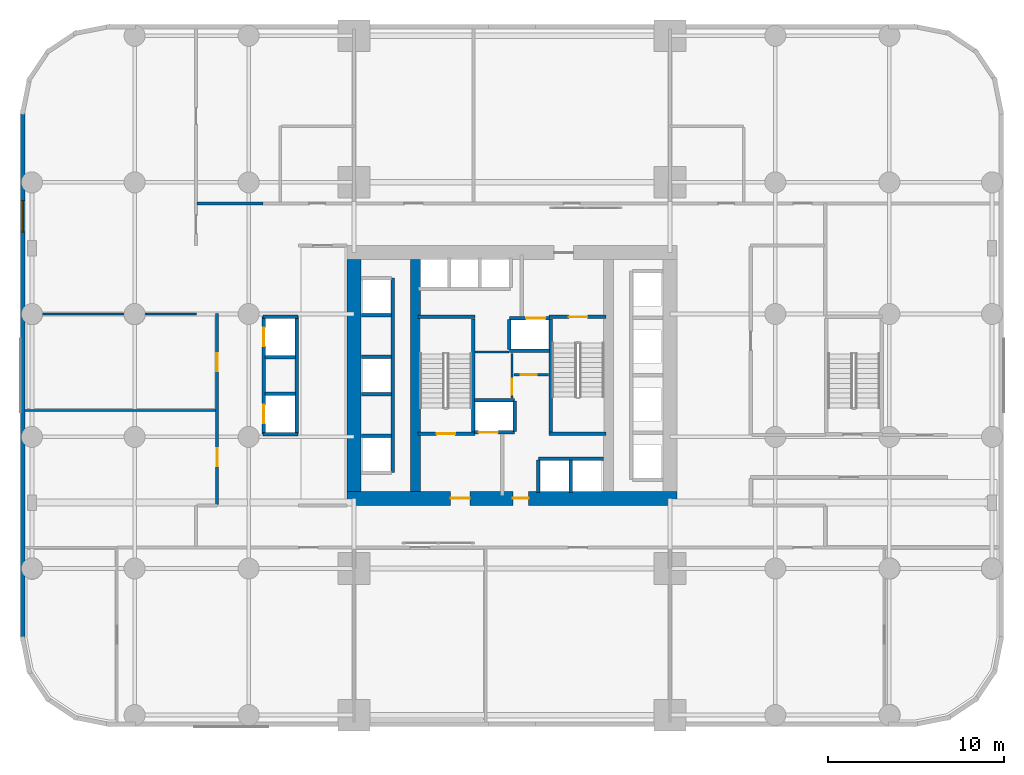
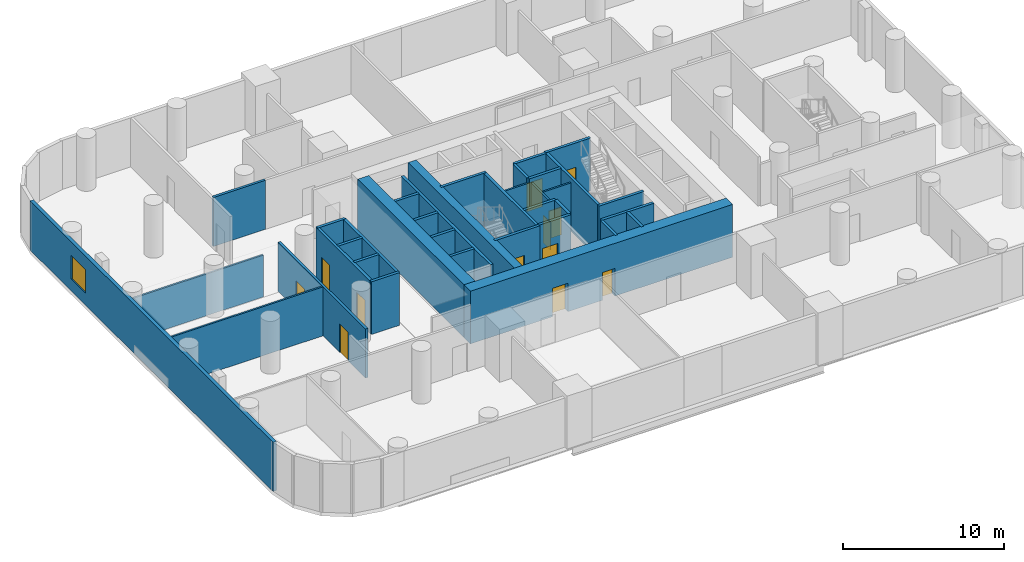
# One storey, part 7 of 12: 37 walls, 12 doors, 1 window, 13 openings.
"""IFC4 building model written with IfcOpenShell, lengths in metres."""

from ifc_helpers import new_model, si_unit, direction, frame, frame_2d, origin, place, context, subcontext, project, spatial, rectangle, extrude, material, layer, layer_set, type_object, element, fill, save


model = new_model("IFC4")

# Units and contexts
model_context = context("Model", 3, precision=1e-05, world=origin(), true_north=direction((0.0, 1.0)))
body_context = subcontext(model_context, "Body", "Model", "MODEL_VIEW")
ifc_project = project(units=[si_unit("LENGTHUNIT", "METRE"), si_unit("AREAUNIT", "SQUARE_METRE"), si_unit("VOLUMEUNIT", "CUBIC_METRE"), si_unit("PLANEANGLEUNIT", "RADIAN"), si_unit("MASSUNIT", "GRAM", prefix="KILO")], contexts=[model_context])

# Site, building, storey
site_placement = place(None, origin())
site = spatial("IfcSite", under=ifc_project, at=site_placement, CompositionType="ELEMENT")
building_placement = place(site_placement, origin())
building = spatial("IfcBuilding", under=site, at=building_placement, Name="Veldorim Arch Residences", CompositionType="ELEMENT")
storey_placement = place(building_placement, frame((0.0, 0.0, 12.0)))
storey = spatial("IfcBuildingStorey", under=building, at=storey_placement, Name="L03", CompositionType="ELEMENT", Elevation=12.0)

# Wall, opening, door
ifc_material_1 = material(Name="Acoustic Gypsum Board", Category="gypsum")
ifc_layer_1 = layer(ifc_material_1, 0.125, Name="Acoustic Stud Room Partition Wall 125")
ifc_layer_set_1 = layer_set([ifc_layer_1], Name="Acoustic Gypsum Board")
wall_type_1 = type_object("IfcWallType", Name="Acoustic Stud Room Partition Wall 125", PredefinedType="PARTITIONING", material=ifc_layer_set_1)
wall_1_placement = place(storey_placement, frame((32.0, 22.719970703125, 0.0), z_axis=(0.0, 0.0, 1.0), x_axis=(0.0, 1.0, 0.0)))
wall_1 = element("IfcWall", 1, at=wall_1_placement, inside=storey, type_object=wall_type_1, Name="L03 interior wall WL-CA-L03-1", PredefinedType="PARTITIONING", context=body_context, shape_type="SweptSolid", body=[
    extrude(rectangle(XDim=2.52001953125, YDim=0.125, at=frame_2d((1.260009765625, 0.0))), origin(), (0.0, 0.0, 1.0), 3.715087890625),
])
opening_1_placement = place(wall_1_placement, frame((0.179931640625, 0.0, 0.0)))
opening_1 = element("IfcOpeningElement", 2, at=opening_1_placement, cuts=wall_1, Name="Opening DR-SVC", PredefinedType="OPENING", context=body_context, shape_type="SweptSolid", body=[
    extrude(rectangle(XDim=0.89990234375, YDim=2.10009765625, at=frame_2d((0.449951171875, 1.050048828125))), frame((0.0, 0.072509765625, 0.0), z_axis=(0.0, -1.0, 0.0), x_axis=(1.0, 0.0, 0.0)), (0.0, 0.0, 1.0), 0.14501953125),
])
ifc_material_2 = material(Name="Fire-Rated Steel", Category="steel")
door_type_1 = type_object("IfcDoorType", Name="Riser, Shelter & Plant Room Rated Steel Door 900x2100", OperationType="SINGLE_SWING_LEFT", PredefinedType="DOOR", material=ifc_material_2)
door_1_placement = place(opening_1_placement, origin())
door_1 = element("IfcDoor", 3, at=door_1_placement, inside=storey, type_object=door_type_1, Name="L03 interior door DR-L03-CA2", OperationType="SINGLE_SWING_RIGHT", OverallHeight=2.10009765625, OverallWidth=0.89990234375, PredefinedType="DOOR", context=body_context, shape_type="SweptSolid", body=[
    extrude(rectangle(XDim=0.89990234375, YDim=2.10009765625, at=frame_2d((0.449951171875, 1.050048828125))), frame((0.0, 0.02490234375, 0.0), z_axis=(0.0, -1.0, 0.0), x_axis=(1.0, 0.0, 0.0)), (0.0, 0.0, 1.0), 0.050048828125),
])
fill(opening_1, door_1)

wall_2_placement = place(storey_placement, frame((32.110107421875, 24.0400390625, 0.0), z_axis=(0.0, 0.0, 1.0), x_axis=(1.0, 0.0, 0.0)))
wall_2 = element("IfcWall", 4, at=wall_2_placement, inside=storey, type_object=wall_type_1, Name="L03 interior wall WL-CA-L03-3", PredefinedType="PARTITIONING", context=body_context, shape_type="SweptSolid", body=[
    extrude(rectangle(XDim=1.969970703125, YDim=0.125, at=frame_2d((0.98486328125, 0.0))), origin(), (0.0, 0.0, 1.0), 3.715087890625),
])
opening_2_placement = place(wall_2_placement, frame((0.389892578125, 0.0, 0.0)))
opening_2 = element("IfcOpeningElement", 5, at=opening_2_placement, cuts=wall_2, Name="Opening DR-INT", PredefinedType="OPENING", context=body_context, shape_type="SweptSolid", body=[
    extrude(rectangle(XDim=0.89990234375, YDim=2.10009765625, at=frame_2d((0.449951171875, 1.050048828125))), frame((0.0, 0.072509765625, 0.0), z_axis=(0.0, -1.0, 0.0), x_axis=(1.0, 0.0, 0.0)), (0.0, 0.0, 1.0), 0.14501953125),
])
ifc_material_3 = material(Name="Engineered Timber", Category="wood")
door_type_2 = type_object("IfcDoorType", Name="Apartment Internal Room Timber Door 900x2100", OperationType="SINGLE_SWING_LEFT", PredefinedType="DOOR", material=ifc_material_3)
door_2_placement = place(opening_2_placement, origin())
door_2 = element("IfcDoor", 6, at=door_2_placement, inside=storey, type_object=door_type_2, Name="L03 interior door DR-L03-CA1", OperationType="SINGLE_SWING_LEFT", OverallHeight=2.10009765625, OverallWidth=0.89990234375, PredefinedType="DOOR", context=body_context, shape_type="SweptSolid", body=[
    extrude(rectangle(XDim=0.89990234375, YDim=2.10009765625, at=frame_2d((0.449951171875, 1.050048828125))), frame((0.0, 0.02490234375, 0.0), z_axis=(0.0, -1.0, 0.0), x_axis=(1.0, 0.0, 0.0)), (0.0, 0.0, 1.0), 0.050048828125),
])
fill(opening_2, door_2)

# Walls
wall_3_placement = place(storey_placement, frame((29.889892578125, 25.330078125, 0.0), z_axis=(0.0, 0.0, 1.0), x_axis=(1.0, 0.0, 0.0)))
element("IfcWall", 7, at=wall_3_placement, inside=storey, type_object=wall_type_1, Name="L03 interior wall WL-CA-L03-N", PredefinedType="PARTITIONING", context=body_context, shape_type="SweptSolid", body=[
    extrude(rectangle(XDim=1.940185546875, YDim=0.125, at=frame_2d((0.97021484375, 0.0))), origin(), (0.0, 0.0, 1.0), 3.715087890625),
])
wall_4_placement = place(storey_placement, frame((4.25, 22.0, 0.0), z_axis=(0.0, 0.0, 1.0), x_axis=(1.0, 0.0, 0.0)))
element("IfcWall", 8, at=wall_4_placement, inside=storey, type_object=wall_type_1, Name="L03 interior wall WL-POD-L03-024", PredefinedType="PARTITIONING", context=body_context, shape_type="SweptSolid", body=[
    extrude(rectangle(XDim=10.85009765625, YDim=0.125, at=frame_2d((5.425048828125, 0.0))), origin(), (0.0, 0.0, 1.0), 3.715087890625),
])
wall_5_placement = place(storey_placement, frame((4.25, 27.5, 0.0), z_axis=(0.0, 0.0, 1.0), x_axis=(1.0, 0.0, 0.0)))
element("IfcWall", 9, at=wall_5_placement, inside=storey, type_object=wall_type_1, Name="L03 interior wall WL-POD-L03-025", PredefinedType="PARTITIONING", context=body_context, shape_type="SweptSolid", body=[
    extrude(rectangle(XDim=9.77001953125, YDim=0.125, at=frame_2d((4.885009765625, 0.0))), origin(), (0.0, 0.0, 1.0), 3.16357421875),
])

# Wall, openings, doors
ifc_material_4 = material(Name="Lightweight Masonry Block & Gypsum", Category="masonry")
ifc_layer_2 = layer(ifc_material_4, 0.179931640625, Name="Compartment & Corridor Fire-Rated Party Wall 180")
ifc_layer_set_2 = layer_set([ifc_layer_2], Name="Lightweight Masonry Block & Gypsum")
wall_type_2 = type_object("IfcWallType", Name="Compartment & Corridor Fire-Rated Party Wall 180", PredefinedType="PARTITIONING", material=ifc_layer_set_2)
wall_6_placement = place(storey_placement, frame((15.199951171875, 16.659912109375, 0.0), z_axis=(0.0, 0.0, 1.0), x_axis=(0.0, 1.0, 0.0)))
wall_6 = element("IfcWall", 10, at=wall_6_placement, inside=storey, type_object=wall_type_2, Name="L03 interior wall WL-POD-L03-004", PredefinedType="PARTITIONING", context=body_context, shape_type="SweptSolid", body=[
    extrude(rectangle(XDim=10.860107421875, YDim=0.179931640625, at=frame_2d((5.43017578125, 0.0))), origin(), (0.0, 0.0, 1.0), 3.715087890625),
])
opening_3_placement = place(wall_6_placement, frame((2.155029296875, 0.0, 0.0)))
opening_3 = element("IfcOpeningElement", 11, at=opening_3_placement, cuts=wall_6, Name="Opening DR-CLN", PredefinedType="OPENING", context=body_context, shape_type="SweptSolid", body=[
    extrude(rectangle(XDim=1.050048828125, YDim=2.14990234375, at=frame_2d((0.52490234375, 1.074951171875))), frame((0.0, 0.099853515625, 0.0), z_axis=(0.0, -1.0, 0.0), x_axis=(1.0, 0.0, 0.0)), (0.0, 0.0, 1.0), 0.199951171875),
])
opening_4_placement = place(wall_6_placement, frame((7.56494140625, 0.0, 0.0)))
opening_4 = element("IfcOpeningElement", 12, at=opening_4_placement, cuts=wall_6, Name="Opening DR-CLN", PredefinedType="OPENING", context=body_context, shape_type="SweptSolid", body=[
    extrude(rectangle(XDim=1.050048828125, YDim=2.14990234375, at=frame_2d((0.52490234375, 1.074951171875))), frame((0.0, 0.099853515625, 0.0), z_axis=(0.0, -1.0, 0.0), x_axis=(1.0, 0.0, 0.0)), (0.0, 0.0, 1.0), 0.199951171875),
])
ifc_material_5 = material(Name="Timber & Vision Panel", Category="wood")
door_type_3 = type_object("IfcDoorType", Name="Polyclinic Wheelchair-Accessible Consultation Door 1050x2150", OperationType="SINGLE_SWING_LEFT", PredefinedType="DOOR", material=ifc_material_5)
door_3_placement = place(opening_3_placement, origin())
door_3 = element("IfcDoor", 13, at=door_3_placement, inside=storey, type_object=door_type_3, Name="L03 interior door DR-POD-L03-003", OperationType="SINGLE_SWING_LEFT", OverallHeight=2.14990234375, OverallWidth=1.050048828125, PredefinedType="DOOR", context=body_context, shape_type="SweptSolid", body=[
    extrude(rectangle(XDim=1.050048828125, YDim=2.14990234375, at=frame_2d((0.52490234375, 1.074951171875))), frame((0.0, 0.02490234375, 0.0), z_axis=(0.0, -1.0, 0.0), x_axis=(1.0, 0.0, 0.0)), (0.0, 0.0, 1.0), 0.050048828125),
])
fill(opening_3, door_3)
door_4_placement = place(opening_4_placement, origin())
door_4 = element("IfcDoor", 14, at=door_4_placement, inside=storey, type_object=door_type_3, Name="L03 interior door DR-POD-L03-004", OperationType="SINGLE_SWING_RIGHT", OverallHeight=2.14990234375, OverallWidth=1.050048828125, PredefinedType="DOOR", context=body_context, shape_type="SweptSolid", body=[
    extrude(rectangle(XDim=1.050048828125, YDim=2.14990234375, at=frame_2d((0.52490234375, 1.074951171875))), frame((0.0, 0.02490234375, 0.0), z_axis=(0.0, -1.0, 0.0), x_axis=(1.0, 0.0, 0.0)), (0.0, 0.0, 1.0), 0.050048828125),
])
fill(opening_4, door_4)

# Walls
wall_7_placement = place(storey_placement, frame((14.06005859375, 33.800048828125, 0.0), z_axis=(0.0, 0.0, 1.0), x_axis=(1.0, 0.0, 0.0)))
element("IfcWall", 15, at=wall_7_placement, inside=storey, type_object=wall_type_2, Name="L03 interior wall WL-POD-L03-007", PredefinedType="PARTITIONING", context=body_context, shape_type="SweptSolid", body=[
    extrude(rectangle(XDim=3.739990234375, YDim=0.179931640625, at=frame_2d((1.8701171875, 0.0))), origin(), (0.0, 0.0, 1.0), 3.715087890625),
])
ifc_material_6 = material(Name="Concrete C50/60", Category="concrete")
ifc_layer_3 = layer(ifc_material_6, 0.199951171875, Name="Core Stair & Lift Shaft Enclosure Wall 200")
ifc_layer_set_3 = layer_set([ifc_layer_3], Name="Concrete C50/60")
wall_type_3 = type_object("IfcWallType", Name="Core Stair & Lift Shaft Enclosure Wall 200", PredefinedType="SHEAR", material=ifc_layer_set_3)
wall_8_placement = place(storey_placement, frame((29.7900390625, 20.780029296875, 0.0), z_axis=(0.0, 0.0, 1.0), x_axis=(0.0, 1.0, 0.0)))
element("IfcWall", 16, at=wall_8_placement, inside=storey, type_object=wall_type_3, Name="L03 shaft wall WL-SHF-L03-ST1-E", PredefinedType="SHEAR", context=body_context, shape_type="SweptSolid", body=[
    extrude(rectangle(XDim=6.43994140625, YDim=0.199951171875, at=frame_2d((3.219970703125, 0.0))), origin(), (0.0, 0.0, 1.0), 4.0),
])
wall_9_placement = place(storey_placement, frame((26.64990234375, 27.330078125, 0.0), z_axis=(0.0, 0.0, 1.0), x_axis=(1.0, 0.0, 0.0)))
element("IfcWall", 17, at=wall_9_placement, inside=storey, type_object=wall_type_3, Name="L03 shaft wall WL-SHF-L03-ST1-N", PredefinedType="SHEAR", context=body_context, shape_type="SweptSolid", body=[
    extrude(rectangle(XDim=3.239990234375, YDim=0.199951171875, at=frame_2d((1.6201171875, 0.0))), origin(), (0.0, 0.0, 1.0), 4.0),
])

# Wall, opening, door
wall_10_placement = place(storey_placement, frame((26.64990234375, 20.669921875, 0.0), z_axis=(0.0, 0.0, 1.0), x_axis=(1.0, 0.0, 0.0)))
wall_10 = element("IfcWall", 18, at=wall_10_placement, inside=storey, type_object=wall_type_3, Name="L03 shaft wall WL-SHF-L03-ST1-S", PredefinedType="SHEAR", context=body_context, shape_type="SweptSolid", body=[
    extrude(rectangle(XDim=3.239990234375, YDim=0.199951171875, at=frame_2d((1.6201171875, 0.0))), origin(), (0.0, 0.0, 1.0), 4.0),
])
opening_5_placement = place(wall_10_placement, frame((1.054931640625, 0.0, 0.0)))
opening_5 = element("IfcOpeningElement", 19, at=opening_5_placement, cuts=wall_10, Name="Opening DR-ST", PredefinedType="OPENING", context=body_context, shape_type="SweptSolid", body=[
    extrude(rectangle(XDim=1.050048828125, YDim=2.14990234375, at=frame_2d((0.52490234375, 1.074951171875))), frame((0.0, 0.10986328125, 0.0), z_axis=(0.0, -1.0, 0.0), x_axis=(1.0, 0.0, 0.0)), (0.0, 0.0, 1.0), 0.219970703125),
])
ifc_material_7 = material(Name="Fire-Rated Steel", Category="steel")
door_type_4 = type_object("IfcDoorType", Name="Exit Staircase Self-Closing Fire Door 1050x2150", OperationType="SINGLE_SWING_LEFT", PredefinedType="DOOR", material=ifc_material_7)
door_5_placement = place(opening_5_placement, origin())
door_5 = element("IfcDoor", 20, at=door_5_placement, inside=storey, type_object=door_type_4, Name="L03 interior door DR-L03-ST1", OperationType="SINGLE_SWING_LEFT", OverallHeight=2.14990234375, OverallWidth=1.050048828125, PredefinedType="DOOR", context=body_context, shape_type="SweptSolid", body=[
    extrude(rectangle(XDim=1.050048828125, YDim=2.14990234375, at=frame_2d((0.52490234375, 1.074951171875))), frame((0.0, 0.02490234375, 0.0), z_axis=(0.0, -1.0, 0.0), x_axis=(1.0, 0.0, 0.0)), (0.0, 0.0, 1.0), 0.050048828125),
])
fill(opening_5, door_5)

# Walls
wall_11_placement = place(storey_placement, frame((34.2099609375, 20.780029296875, 0.0), z_axis=(0.0, 0.0, 1.0), x_axis=(0.0, 1.0, 0.0)))
element("IfcWall", 21, at=wall_11_placement, inside=storey, type_object=wall_type_3, Name="L03 shaft wall WL-SHF-L03-ST2-W", PredefinedType="SHEAR", context=body_context, shape_type="SweptSolid", body=[
    extrude(rectangle(XDim=6.43994140625, YDim=0.199951171875, at=frame_2d((3.219970703125, 0.0))), origin(), (0.0, 0.0, 1.0), 4.0),
])
wall_12_placement = place(storey_placement, frame((34.110107421875, 20.669921875, 0.0), z_axis=(0.0, 0.0, 1.0), x_axis=(1.0, 0.0, 0.0)))
element("IfcWall", 22, at=wall_12_placement, inside=storey, type_object=wall_type_3, Name="L03 shaft wall WL-SHF-L03-ST2-S", PredefinedType="SHEAR", context=body_context, shape_type="SweptSolid", body=[
    extrude(rectangle(XDim=3.239990234375, YDim=0.199951171875, at=frame_2d((1.6201171875, 0.0))), origin(), (0.0, 0.0, 1.0), 4.0),
])

# Wall, opening, door
wall_13_placement = place(storey_placement, frame((34.110107421875, 27.330078125, 0.0), z_axis=(0.0, 0.0, 1.0), x_axis=(1.0, 0.0, 0.0)))
wall_13 = element("IfcWall", 23, at=wall_13_placement, inside=storey, type_object=wall_type_3, Name="L03 shaft wall WL-SHF-L03-ST2-N", PredefinedType="SHEAR", context=body_context, shape_type="SweptSolid", body=[
    extrude(rectangle(XDim=3.239990234375, YDim=0.199951171875, at=frame_2d((1.6201171875, 0.0))), origin(), (0.0, 0.0, 1.0), 4.0),
])
opening_6_placement = place(wall_13_placement, frame((1.135009765625, 0.0, 0.0)))
opening_6 = element("IfcOpeningElement", 24, at=opening_6_placement, cuts=wall_13, Name="Opening DR-ST", PredefinedType="OPENING", context=body_context, shape_type="SweptSolid", body=[
    extrude(rectangle(XDim=1.050048828125, YDim=2.14990234375, at=frame_2d((0.52490234375, 1.074951171875))), frame((0.0, 0.10986328125, 0.0), z_axis=(0.0, -1.0, 0.0), x_axis=(1.0, 0.0, 0.0)), (0.0, 0.0, 1.0), 0.219970703125),
])
door_6_placement = place(opening_6_placement, origin())
door_6 = element("IfcDoor", 25, at=door_6_placement, inside=storey, type_object=door_type_4, Name="L03 interior door DR-L03-ST2", OperationType="SINGLE_SWING_RIGHT", OverallHeight=2.14990234375, OverallWidth=1.050048828125, PredefinedType="DOOR", context=body_context, shape_type="SweptSolid", body=[
    extrude(rectangle(XDim=1.050048828125, YDim=2.14990234375, at=frame_2d((0.52490234375, 1.074951171875))), frame((0.0, 0.02490234375, 0.0), z_axis=(0.0, -1.0, 0.0), x_axis=(1.0, 0.0, 0.0)), (0.0, 0.0, 1.0), 0.050048828125),
])
fill(opening_6, door_6)

wall_14_placement = place(storey_placement, frame((29.85009765625, 20.75, 0.0), z_axis=(0.0, 0.0, 1.0), x_axis=(1.0, 0.0, 0.0)))
wall_14 = element("IfcWall", 26, at=wall_14_placement, inside=storey, type_object=wall_type_3, Name="L03 shaft wall WL-FL01-L03-S", PredefinedType="SHEAR", context=body_context, shape_type="SweptSolid", body=[
    extrude(rectangle(XDim=2.2998046875, YDim=0.199951171875, at=frame_2d((1.14990234375, 0.0))), origin(), (0.0, 0.0, 1.0), 4.0),
])
opening_7_placement = place(wall_14_placement, frame((0.25, 0.0, 0.0)))
opening_7 = element("IfcOpeningElement", 27, at=opening_7_placement, cuts=wall_14, Name="Opening LD-FF", PredefinedType="OPENING", context=body_context, shape_type="SweptSolid", body=[
    extrude(rectangle(XDim=1.10009765625, YDim=2.14990234375, at=frame_2d((0.550048828125, 1.074951171875))), frame((0.0, 0.10986328125, 0.0), z_axis=(0.0, -1.0, 0.0), x_axis=(1.0, 0.0, 0.0)), (0.0, 0.0, 1.0), 0.219970703125),
])
ifc_material_8 = material(Name="Stainless Steel", Category="steel")
door_type_5 = type_object("IfcDoorType", Name="Firefighting Lift Bi-Parting Sliding Landing Door 1100x2150", OperationType="DOUBLE_DOOR_SLIDING", PredefinedType="DOOR", material=ifc_material_8)
door_7_placement = place(opening_7_placement, origin())
door_7 = element("IfcDoor", 28, at=door_7_placement, inside=storey, type_object=door_type_5, Name="L03 lift landing door LD-L03-FL01", OperationType="DOUBLE_DOOR_SLIDING", OverallHeight=2.14990234375, OverallWidth=1.10009765625, PredefinedType="DOOR", context=body_context, shape_type="SweptSolid", body=[
    extrude(rectangle(XDim=1.10009765625, YDim=2.14990234375, at=frame_2d((0.550048828125, 1.074951171875))), frame((0.0, 0.02490234375, 0.0), z_axis=(0.0, -1.0, 0.0), x_axis=(1.0, 0.0, 0.0)), (0.0, 0.0, 1.0), 0.050048828125),
])
fill(opening_7, door_7)

# Walls
wall_15_placement = place(storey_placement, frame((29.85009765625, 22.60009765625, 0.0), z_axis=(0.0, 0.0, 1.0), x_axis=(1.0, 0.0, 0.0)))
element("IfcWall", 29, at=wall_15_placement, inside=storey, type_object=wall_type_3, Name="L03 shaft wall WL-FL01-L03-N", PredefinedType="SHEAR", context=body_context, shape_type="SweptSolid", body=[
    extrude(rectangle(XDim=2.2998046875, YDim=0.199951171875, at=frame_2d((1.14990234375, 0.0))), origin(), (0.0, 0.0, 1.0), 4.0),
])
wall_16_placement = place(storey_placement, frame((32.14990234375, 20.820068359375, 0.0), z_axis=(0.0, 0.0, 1.0), x_axis=(0.0, 1.0, 0.0)))
element("IfcWall", 30, at=wall_16_placement, inside=storey, type_object=wall_type_3, Name="L03 shaft wall WL-FL01-L03-E", PredefinedType="SHEAR", context=body_context, shape_type="SweptSolid", body=[
    extrude(rectangle(XDim=1.7099609375, YDim=0.199951171875, at=frame_2d((0.85498046875, 0.0))), origin(), (0.0, 0.0, 1.0), 4.0),
])

# Wall, opening, door
wall_17_placement = place(storey_placement, frame((31.85009765625, 27.25, 0.0), z_axis=(0.0, 0.0, 1.0), x_axis=(1.0, 0.0, 0.0)))
wall_17 = element("IfcWall", 31, at=wall_17_placement, inside=storey, type_object=wall_type_3, Name="L03 shaft wall WL-FL02-L03-N", PredefinedType="SHEAR", context=body_context, shape_type="SweptSolid", body=[
    extrude(rectangle(XDim=2.2998046875, YDim=0.199951171875, at=frame_2d((1.14990234375, 0.0))), origin(), (0.0, 0.0, 1.0), 4.0),
])
opening_8_placement = place(wall_17_placement, frame((0.949951171875, 0.0, 0.0)))
opening_8 = element("IfcOpeningElement", 32, at=opening_8_placement, cuts=wall_17, Name="Opening LD-FF", PredefinedType="OPENING", context=body_context, shape_type="SweptSolid", body=[
    extrude(rectangle(XDim=1.10009765625, YDim=2.14990234375, at=frame_2d((0.550048828125, 1.074951171875))), frame((0.0, 0.10986328125, 0.0), z_axis=(0.0, -1.0, 0.0), x_axis=(1.0, 0.0, 0.0)), (0.0, 0.0, 1.0), 0.219970703125),
])
door_8_placement = place(opening_8_placement, origin())
door_8 = element("IfcDoor", 33, at=door_8_placement, inside=storey, type_object=door_type_5, Name="L03 lift landing door LD-L03-FL02", OperationType="DOUBLE_DOOR_SLIDING", OverallHeight=2.14990234375, OverallWidth=1.10009765625, PredefinedType="DOOR", context=body_context, shape_type="SweptSolid", body=[
    extrude(rectangle(XDim=1.10009765625, YDim=2.14990234375, at=frame_2d((0.550048828125, 1.074951171875))), frame((0.0, 0.02490234375, 0.0), z_axis=(0.0, -1.0, 0.0), x_axis=(1.0, 0.0, 0.0)), (0.0, 0.0, 1.0), 0.050048828125),
])
fill(opening_8, door_8)

# Walls
wall_18_placement = place(storey_placement, frame((31.85009765625, 25.39990234375, 0.0), z_axis=(0.0, 0.0, 1.0), x_axis=(1.0, 0.0, 0.0)))
element("IfcWall", 34, at=wall_18_placement, inside=storey, type_object=wall_type_3, Name="L03 shaft wall WL-FL02-L03-S", PredefinedType="SHEAR", context=body_context, shape_type="SweptSolid", body=[
    extrude(rectangle(XDim=2.2998046875, YDim=0.199951171875, at=frame_2d((1.14990234375, 0.0))), origin(), (0.0, 0.0, 1.0), 4.0),
])
wall_19_placement = place(storey_placement, frame((31.85009765625, 25.469970703125, 0.0), z_axis=(0.0, 0.0, 1.0), x_axis=(0.0, 1.0, 0.0)))
element("IfcWall", 35, at=wall_19_placement, inside=storey, type_object=wall_type_3, Name="L03 shaft wall WL-FL02-L03-W", PredefinedType="SHEAR", context=body_context, shape_type="SweptSolid", body=[
    extrude(rectangle(XDim=1.7099609375, YDim=0.199951171875, at=frame_2d((0.85498046875, 0.0))), origin(), (0.0, 0.0, 1.0), 4.0),
])
wall_20_placement = place(storey_placement, frame((25.199951171875, 18.4599609375, 0.0), z_axis=(0.0, 0.0, 1.0), x_axis=(0.0, 1.0, 0.0)))
element("IfcWall", 36, at=wall_20_placement, inside=storey, type_object=wall_type_3, Name="L03 shaft wall WL-B2-L03-E", PredefinedType="SHEAR", context=body_context, shape_type="SweptSolid", body=[
    extrude(rectangle(XDim=11.080078125, YDim=0.199951171875, at=frame_2d((5.5400390625, 0.0))), origin(), (0.0, 0.0, 1.0), 4.0),
])
for number, where, z_axis, x_axis, name in (
    (37, (23.419921875, 20.56005859375, 0.0), (0.0, 0.0, 1.0), (1.0, 0.0, 0.0), "L03 shaft wall WL-B2-L03-D1A"),
    (38, (23.419921875, 22.93994140625, 0.0), (0.0, 0.0, 1.0), (1.0, 0.0, 0.0), "L03 shaft wall WL-B2-L03-D1B"),
    (39, (23.419921875, 25.06005859375, 0.0), (0.0, 0.0, 1.0), (1.0, 0.0, 0.0), "L03 shaft wall WL-B2-L03-D2A"),
    (40, (23.419921875, 27.43994140625, 0.0), (0.0, 0.0, 1.0), (1.0, 0.0, 0.0), "L03 shaft wall WL-B2-L03-D2B"),
):
    element("IfcWall", number, at=place(storey_placement, frame(where, z_axis=z_axis, x_axis=x_axis)), inside=storey, type_object=wall_type_3, Name=name, PredefinedType="SHEAR", context=body_context, shape_type="SweptSolid", body=[
        extrude(rectangle(XDim=1.7099609375, YDim=0.199951171875, at=frame_2d((0.85498046875, 0.0))), origin(), (0.0, 0.0, 1.0), 4.0),
    ])
wall_21_placement = place(storey_placement, frame((33.5, 19.25, 0.0), z_axis=(0.0, 0.0, 1.0), x_axis=(1.0, 0.0, 0.0)))
element("IfcWall", 41, at=wall_21_placement, inside=storey, type_object=wall_type_3, Name="L03 shaft wall WL-OL-L03-N", PredefinedType="SHEAR", context=body_context, shape_type="SweptSolid", body=[
    extrude(rectangle(XDim=3.719970703125, YDim=0.199951171875, at=frame_2d((1.85986328125, 0.0))), origin(), (0.0, 0.0, 1.0), 4.0),
])
for number, where, z_axis, x_axis, name in (
    (42, (33.5, 17.320068359375, 0.0), (0.0, 0.0, 1.0), (0.0, 1.0, 0.0), "L03 shaft wall WL-OL-L03-W"),
    (43, (35.35009765625, 17.320068359375, 0.0), (0.0, 0.0, 1.0), (0.0, 1.0, 0.0), "L03 shaft wall WL-OL-L03-D1"),
):
    element("IfcWall", number, at=place(storey_placement, frame(where, z_axis=z_axis, x_axis=x_axis)), inside=storey, type_object=wall_type_3, Name=name, PredefinedType="SHEAR", context=body_context, shape_type="SweptSolid", body=[
        extrude(rectangle(XDim=1.85986328125, YDim=0.199951171875, at=frame_2d((0.929931640625, 0.0))), origin(), (0.0, 0.0, 1.0), 4.0),
    ])

# Wall, openings, doors
wall_22_placement = place(storey_placement, frame((17.85009765625, 20.64990234375, 0.0), z_axis=(0.0, 0.0, 1.0), x_axis=(0.0, 1.0, 0.0)))
wall_22 = element("IfcWall", 44, at=wall_22_placement, inside=storey, type_object=wall_type_3, Name="L03 shaft wall WL-SHF-L03-CL-W", PredefinedType="SHEAR", context=body_context, shape_type="SweptSolid", body=[
    extrude(rectangle(XDim=6.7001953125, YDim=0.199951171875, at=frame_2d((3.35009765625, 0.0))), origin(), (0.0, 0.0, 1.0), 4.0),
])
opening_9_placement = place(wall_22_placement, frame((0.625, 0.0, 0.0)))
opening_9 = element("IfcOpeningElement", 45, at=opening_9_placement, cuts=wall_22, Name="Opening LD-PS", PredefinedType="OPENING", context=body_context, shape_type="SweptSolid", body=[
    extrude(rectangle(XDim=1.050048828125, YDim=2.14990234375, at=frame_2d((0.52490234375, 1.074951171875))), frame((0.0, 0.10986328125, 0.0), z_axis=(0.0, -1.0, 0.0), x_axis=(1.0, 0.0, 0.0)), (0.0, 0.0, 1.0), 0.219970703125),
])
opening_10_placement = place(wall_22_placement, frame((5.02490234375, 0.0, 0.0)))
opening_10 = element("IfcOpeningElement", 46, at=opening_10_placement, cuts=wall_22, Name="Opening LD-PS", PredefinedType="OPENING", context=body_context, shape_type="SweptSolid", body=[
    extrude(rectangle(XDim=1.050048828125, YDim=2.14990234375, at=frame_2d((0.52490234375, 1.074951171875))), frame((0.0, 0.10986328125, 0.0), z_axis=(0.0, -1.0, 0.0), x_axis=(1.0, 0.0, 0.0)), (0.0, 0.0, 1.0), 0.219970703125),
])
ifc_material_9 = material(Name="Stainless Steel", Category="steel")
door_type_6 = type_object("IfcDoorType", Name="Passenger Lift Bi-Parting Sliding Landing Door 1050x2150", OperationType="DOUBLE_DOOR_SLIDING", PredefinedType="DOOR", material=ifc_material_9)
door_9_placement = place(opening_9_placement, origin())
door_9 = element("IfcDoor", 47, at=door_9_placement, inside=storey, type_object=door_type_6, Name="L03 lift landing door LD-L03-CL-01", OperationType="DOUBLE_DOOR_SLIDING", OverallHeight=2.14990234375, OverallWidth=1.050048828125, PredefinedType="DOOR", context=body_context, shape_type="SweptSolid", body=[
    extrude(rectangle(XDim=1.050048828125, YDim=2.14990234375, at=frame_2d((0.52490234375, 1.074951171875))), frame((0.0, 0.02490234375, 0.0), z_axis=(0.0, -1.0, 0.0), x_axis=(1.0, 0.0, 0.0)), (0.0, 0.0, 1.0), 0.050048828125),
])
fill(opening_9, door_9)
door_10_placement = place(opening_10_placement, origin())
door_10 = element("IfcDoor", 48, at=door_10_placement, inside=storey, type_object=door_type_6, Name="L03 lift landing door LD-L03-CL-02", OperationType="DOUBLE_DOOR_SLIDING", OverallHeight=2.14990234375, OverallWidth=1.050048828125, PredefinedType="DOOR", context=body_context, shape_type="SweptSolid", body=[
    extrude(rectangle(XDim=1.050048828125, YDim=2.14990234375, at=frame_2d((0.52490234375, 1.074951171875))), frame((0.0, 0.02490234375, 0.0), z_axis=(0.0, -1.0, 0.0), x_axis=(1.0, 0.0, 0.0)), (0.0, 0.0, 1.0), 0.050048828125),
])
fill(opening_10, door_10)

# Walls
wall_23_placement = place(storey_placement, frame((19.75, 20.64990234375, 0.0), z_axis=(0.0, 0.0, 1.0), x_axis=(0.0, 1.0, 0.0)))
element("IfcWall", 49, at=wall_23_placement, inside=storey, type_object=wall_type_3, Name="L03 shaft wall WL-SHF-L03-CL-E", PredefinedType="SHEAR", context=body_context, shape_type="SweptSolid", body=[
    extrude(rectangle(XDim=6.7001953125, YDim=0.199951171875, at=frame_2d((3.35009765625, 0.0))), origin(), (0.0, 0.0, 1.0), 4.0),
])
for number, where, z_axis, x_axis, name in (
    (50, (17.800048828125, 20.64990234375, 0.0), (0.0, 0.0, 1.0), (1.0, 0.0, 0.0), "L03 shaft wall WL-SHF-L03-CL-S"),
    (51, (17.800048828125, 27.35009765625, 0.0), (0.0, 0.0, 1.0), (1.0, 0.0, 0.0), "L03 shaft wall WL-SHF-L03-CL-N"),
):
    element("IfcWall", number, at=place(storey_placement, frame(where, z_axis=z_axis, x_axis=x_axis)), inside=storey, type_object=wall_type_3, Name=name, PredefinedType="SHEAR", context=body_context, shape_type="SweptSolid", body=[
        extrude(rectangle(XDim=2.0, YDim=0.199951171875, at=frame_2d((1.0, 0.0))), origin(), (0.0, 0.0, 1.0), 4.0),
    ])
for number, where, z_axis, x_axis, name in (
    (52, (17.919921875, 22.969970703125, 0.0), (0.0, 0.0, 1.0), (1.0, 0.0, 0.0), "L03 shaft wall WL-SHF-L03-CL-M1"),
    (53, (17.919921875, 25.030029296875, 0.0), (0.0, 0.0, 1.0), (1.0, 0.0, 0.0), "L03 shaft wall WL-SHF-L03-CL-M2"),
):
    element("IfcWall", number, at=place(storey_placement, frame(where, z_axis=z_axis, x_axis=x_axis)), inside=storey, type_object=wall_type_3, Name=name, PredefinedType="SHEAR", context=body_context, shape_type="SweptSolid", body=[
        extrude(rectangle(XDim=1.760009765625, YDim=0.199951171875, at=frame_2d((0.8798828125, 0.0))), origin(), (0.0, 0.0, 1.0), 4.0),
    ])
ifc_material_10 = material(Name="Concrete C60/75", Category="concrete")
ifc_layer_4 = layer(ifc_material_10, 0.56005859375, Name="Internal Core Shear Web Wall 560")
ifc_layer_set_4 = layer_set([ifc_layer_4], Name="Concrete C60/75")
wall_type_4 = type_object("IfcWallType", Name="Internal Core Shear Web Wall 560", PredefinedType="SHEAR", material=ifc_layer_set_4)
wall_24_placement = place(storey_placement, frame((26.5, 17.39990234375, 0.0), z_axis=(0.0, 0.0, 1.0), x_axis=(0.0, 1.0, 0.0)))
element("IfcWall", 54, at=wall_24_placement, inside=storey, type_object=wall_type_4, Name="L03 core west internal shear web", PredefinedType="SHEAR", context=body_context, shape_type="SweptSolid", body=[
    extrude(rectangle(XDim=13.2001953125, YDim=0.56005859375, at=frame_2d((6.60009765625, 0.0))), origin(), (0.0, 0.0, 1.0), 4.0),
])

# Wall, openings, doors
ifc_material_11 = material(Name="Concrete C60/75", Category="concrete")
ifc_layer_5 = layer(ifc_material_11, 0.800048828125, Name="Lower Central Core Shear Wall 800")
ifc_layer_set_5 = layer_set([ifc_layer_5], Name="Concrete C60/75")
wall_type_5 = type_object("IfcWallType", Name="Lower Central Core Shear Wall 800", PredefinedType="SHEAR", material=ifc_layer_set_5)
wall_25_placement = place(storey_placement, frame((22.60009765625, 17.0, 0.0), z_axis=(0.0, 0.0, 1.0), x_axis=(1.0, 0.0, 0.0)))
wall_25 = element("IfcWall", 55, at=wall_25_placement, inside=storey, type_object=wall_type_5, Name="L03 central core south shear wall", PredefinedType="SHEAR", context=body_context, shape_type="SweptSolid", body=[
    extrude(rectangle(XDim=18.7998046875, YDim=0.800048828125, at=frame_2d((9.39990234375, 0.0))), origin(), (0.0, 0.0, 1.0), 4.0),
])
opening_11_placement = place(wall_25_placement, frame((5.89990234375, 0.0, 0.0)))
opening_11 = element("IfcOpeningElement", 56, at=opening_11_placement, cuts=wall_25, Name="Opening DR-FFL", PredefinedType="OPENING", context=body_context, shape_type="SweptSolid", body=[
    extrude(rectangle(XDim=1.10009765625, YDim=2.14990234375, at=frame_2d((0.550048828125, 1.074951171875))), frame((0.0, 0.409912109375, 0.0), z_axis=(0.0, -1.0, 0.0), x_axis=(1.0, 0.0, 0.0)), (0.0, 0.0, 1.0), 0.820068359375),
])
opening_12_placement = place(wall_25_placement, frame((9.449951171875, 0.0, 0.0)))
opening_12 = element("IfcOpeningElement", 57, at=opening_12_placement, cuts=wall_25, Name="Opening DR-SVC", PredefinedType="OPENING", context=body_context, shape_type="SweptSolid", body=[
    extrude(rectangle(XDim=0.89990234375, YDim=2.10009765625, at=frame_2d((0.449951171875, 1.050048828125))), frame((0.0, 0.409912109375, 0.0), z_axis=(0.0, -1.0, 0.0), x_axis=(1.0, 0.0, 0.0)), (0.0, 0.0, 1.0), 0.820068359375),
])
ifc_material_12 = material(Name="Fire-Rated Steel & Vision Glass", Category="steel")
door_type_7 = type_object("IfcDoorType", Name="Firefighting Lobby Smoke-Stop Fire Door 1100x2150", OperationType="SINGLE_SWING_LEFT", PredefinedType="DOOR", material=ifc_material_12)
door_11_placement = place(opening_11_placement, origin())
door_11 = element("IfcDoor", 58, at=door_11_placement, inside=storey, type_object=door_type_7, Name="L03 interior door DR-L03-FFL1", OperationType="SINGLE_SWING_RIGHT", OverallHeight=2.14990234375, OverallWidth=1.10009765625, PredefinedType="DOOR", context=body_context, shape_type="SweptSolid", body=[
    extrude(rectangle(XDim=1.10009765625, YDim=2.14990234375, at=frame_2d((0.550048828125, 1.074951171875))), frame((0.0, 0.02490234375, 0.0), z_axis=(0.0, -1.0, 0.0), x_axis=(1.0, 0.0, 0.0)), (0.0, 0.0, 1.0), 0.050048828125),
])
fill(opening_11, door_11)
door_12_placement = place(opening_12_placement, origin())
door_12 = element("IfcDoor", 59, at=door_12_placement, inside=storey, type_object=door_type_1, Name="L03 interior door DR-L03-COR-ANC", OperationType="SINGLE_SWING_LEFT", OverallHeight=2.10009765625, OverallWidth=0.89990234375, PredefinedType="DOOR", context=body_context, shape_type="SweptSolid", body=[
    extrude(rectangle(XDim=0.89990234375, YDim=2.10009765625, at=frame_2d((0.449951171875, 1.050048828125))), frame((0.0, 0.02490234375, 0.0), z_axis=(0.0, -1.0, 0.0), x_axis=(1.0, 0.0, 0.0)), (0.0, 0.0, 1.0), 0.050048828125),
])
fill(opening_12, door_12)

# Wall
wall_26_placement = place(storey_placement, frame((23.0, 17.39990234375, 0.0), z_axis=(0.0, 0.0, 1.0), x_axis=(0.0, 1.0, 0.0)))
element("IfcWall", 60, at=wall_26_placement, inside=storey, type_object=wall_type_5, Name="L03 central core west shear wall", PredefinedType="SHEAR", context=body_context, shape_type="SweptSolid", body=[
    extrude(rectangle(XDim=13.2001953125, YDim=0.800048828125, at=frame_2d((6.60009765625, 0.0))), origin(), (0.0, 0.0, 1.0), 4.0),
])

# Wall, opening, window
ifc_material_13 = material(Name="Precast concrete C40/50", Category="concrete")
ifc_layer_6 = layer(ifc_material_13, 0.25, Name="Podium Terracotta Insulated Facade Wall 250")
ifc_layer_set_6 = layer_set([ifc_layer_6], Name="Precast concrete C40/50")
wall_type_6 = type_object("IfcWallType", Name="Podium Terracotta Insulated Facade Wall 250", PredefinedType="SOLIDWALL", material=ifc_layer_set_6)
wall_27_placement = place(storey_placement, frame((4.125, 8.89990234375, 0.0), z_axis=(0.0, 0.0, 1.0), x_axis=(0.0, 1.0, 0.0)))
wall_27 = element("IfcWall", 61, at=wall_27_placement, inside=storey, type_object=wall_type_6, Name="L03 podium terracotta facade wall 14", PredefinedType="SOLIDWALL", context=body_context, shape_type="SweptSolid", body=[
    extrude(rectangle(XDim=30.2001953125, YDim=0.25, at=frame_2d((15.10009765625, 0.0))), origin(), (0.0, 0.0, 1.0), 3.719970703125),
])
opening_13_placement = place(wall_27_placement, frame((23.260009765625, 0.0, 0.89990234375)))
opening_13 = element("IfcOpeningElement", 62, at=opening_13_placement, cuts=wall_27, Name="Opening WN-01", PredefinedType="OPENING", context=body_context, shape_type="SweptSolid", body=[
    extrude(rectangle(XDim=1.800048828125, YDim=1.800048828125, at=frame_2d((0.89990234375, 0.89990234375))), frame((0.0, 0.135009765625, 0.0), z_axis=(0.0, -1.0, 0.0), x_axis=(1.0, 0.0, 0.0)), (0.0, 0.0, 1.0), 0.27001953125),
])
ifc_material_14 = material(Name="Laminated Low-E Glass", Category="glass")
window_type = type_object("IfcWindowType", Name="Polyclinic Double-Glazed Window 1800x1800", PartitioningType="SINGLE_PANEL", PredefinedType="WINDOW", material=ifc_material_14)
window_placement = place(opening_13_placement, origin())
window = element("IfcWindow", 63, at=window_placement, inside=storey, type_object=window_type, Name="L03 outpatient clinic window 14-4", OverallHeight=1.800048828125, OverallWidth=1.800048828125, PartitioningType="SINGLE_PANEL", PredefinedType="WINDOW", context=body_context, shape_type="SweptSolid", body=[
    extrude(rectangle(XDim=1.800048828125, YDim=1.800048828125, at=frame_2d((0.89990234375, 0.89990234375))), frame((0.0, 0.030029296875, 0.0), z_axis=(0.0, -1.0, 0.0), x_axis=(1.0, 0.0, 0.0)), (0.0, 0.0, 1.0), 0.06005859375),
])
fill(opening_13, window)

save(model, "model.ifc")
